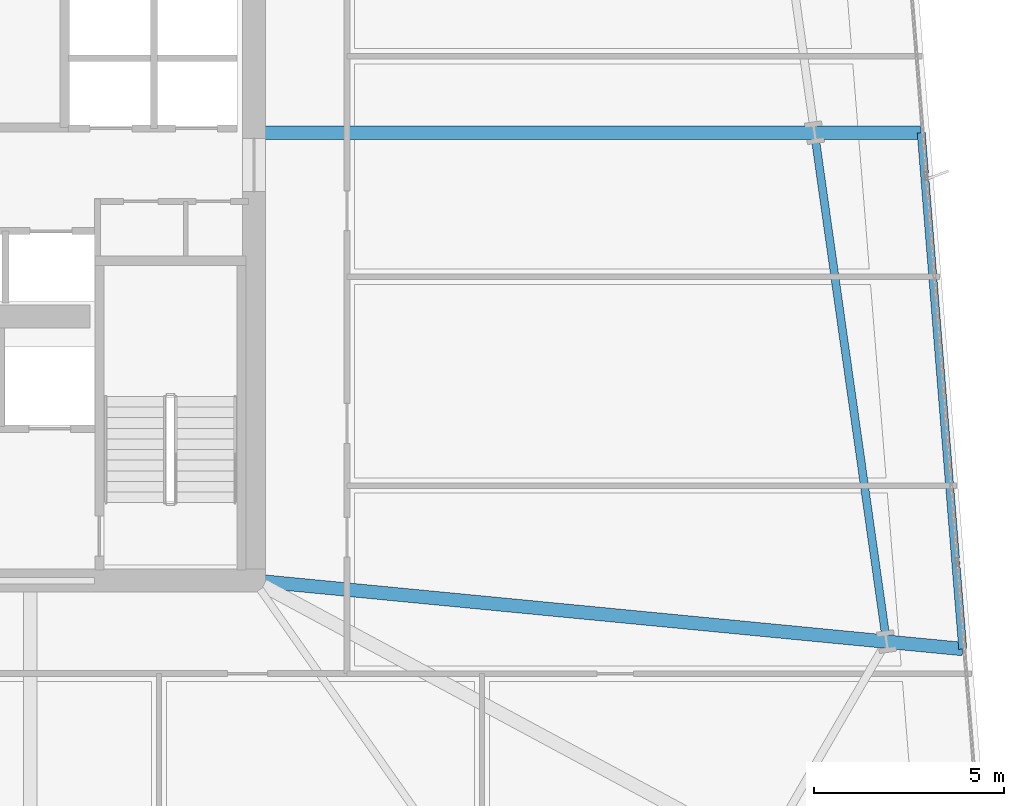
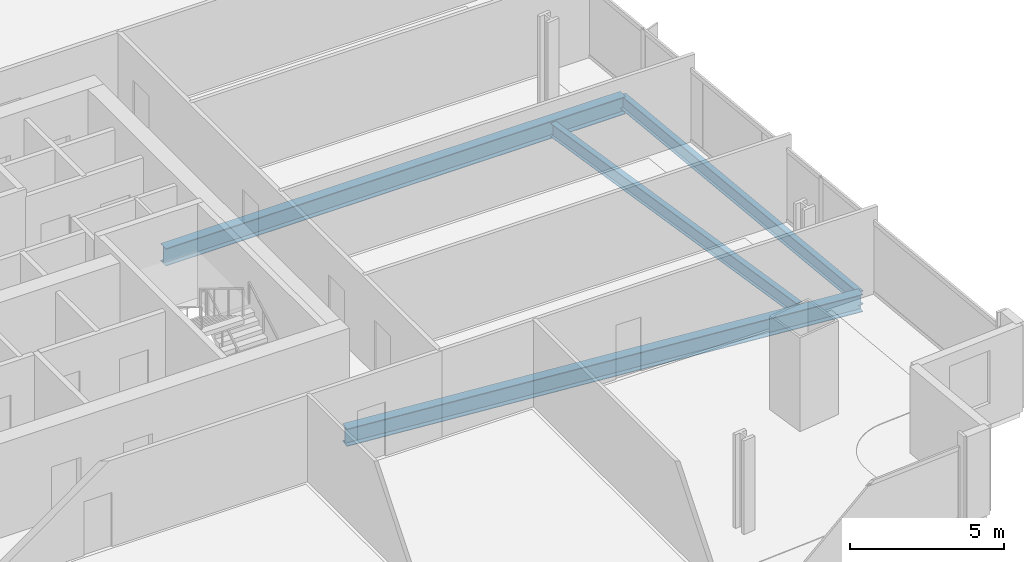
# One storey, part 12 of 33: 4 beams.
"""IFC4 building model written with IfcOpenShell, lengths in metres."""

from ifc_helpers import new_model, si_unit, direction, frame, origin, origin_2d, place, context, subcontext, project, spatial, i_section, extrude, material, material_profile, profile_set, type_object, element, save


model = new_model("IFC4")

# Units and contexts
model_context = context("Model", 3, precision=1e-05, world=origin(), true_north=direction((0.0, 1.0)))
body_context = subcontext(model_context, "Body", "Model", "MODEL_VIEW")
ifc_project = project(units=[si_unit("LENGTHUNIT", "METRE"), si_unit("AREAUNIT", "SQUARE_METRE"), si_unit("VOLUMEUNIT", "CUBIC_METRE"), si_unit("PLANEANGLEUNIT", "RADIAN"), si_unit("MASSUNIT", "GRAM", prefix="KILO")], contexts=[model_context])

# Site, building, storey
site_placement = place(None, origin())
site = spatial("IfcSite", under=ifc_project, at=site_placement, CompositionType="ELEMENT")
building_placement = place(site_placement, origin())
building = spatial("IfcBuilding", under=site, at=building_placement, Name="Haldenkirk Collegiate Tower", CompositionType="ELEMENT")
storey_placement = place(building_placement, frame((0.0, 0.0, 43.949951171875)))
storey = spatial("IfcBuildingStorey", under=building, at=storey_placement, Name="L09", CompositionType="ELEMENT", Elevation=43.949951171875)

# Beams
ifc_material = material(Name="Steel ASTM A992 Grade 50", Category="steel")
ifc_material_profile_1 = material_profile(ifc_material, i_section(OverallWidth=0.35498046875, OverallDepth=0.696044921875, WebThickness=0.015380859375, FlangeThickness=0.02490234375, at=origin_2d()), Name="W27X146")
ifc_profile_set_1 = profile_set([ifc_material_profile_1], Name="Steel ASTM A992 Grade 50")
beam_type_1 = type_object("IfcBeamType", Name="BM-GIRDER-W27X146", PredefinedType="BEAM", material=ifc_profile_set_1)
beam_1_placement = place(storey_placement, frame((63.655029296875, 16.19921875, -0.657958984375), z_axis=(-0.99537293, 0.09608709707, 0.0), x_axis=(-0.09608709707, -0.99537293, 0.0)))
element("IfcBeam", 1, at=beam_1_placement, inside=storey, type_object=beam_type_1, Name="L09 primary floor girder 08", PredefinedType="BEAM", context=body_context, shape_type="SweptSolid", body=[
    extrude(i_section(OverallWidth=0.35498046875, OverallDepth=0.696044921875, WebThickness=0.015380859375, FlangeThickness=0.02490234375, at=origin_2d()), origin(), (0.0, 0.0, 1.0), 18.461669921875),
])
beam_2_placement = place(storey_placement, frame((62.561767578125, 29.788818359375, -0.657958984375), z_axis=(-1.0, 0.0, 0.0), x_axis=(0.0, -1.0, 0.0)))
element("IfcBeam", 2, at=beam_2_placement, inside=storey, type_object=beam_type_1, Name="L09 primary floor girder 09", PredefinedType="BEAM", context=body_context, shape_type="SweptSolid", body=[
    extrude(i_section(OverallWidth=0.35498046875, OverallDepth=0.696044921875, WebThickness=0.015380859375, FlangeThickness=0.02490234375, at=origin_2d()), origin(), (0.0, 0.0, 1.0), 17.28173828125),
])
ifc_material_profile_2 = material_profile(ifc_material, i_section(OverallWidth=0.2119140625, OverallDepth=0.5439453125, WebThickness=0.01318359375, FlangeThickness=0.021240234375, at=origin_2d()), Name="W21X83")
ifc_profile_set_2 = profile_set([ifc_material_profile_2], Name="Steel ASTM A992 Grade 50")
beam_type_2 = type_object("IfcBeamType", Name="BM-SPANDREL-W21X83", PredefinedType="SPANDREL", material=ifc_profile_set_2)
beam_3_placement = place(storey_placement, frame((61.611083984375, 16.65478515625, -0.58203125), z_axis=(-0.140040904101, 0.990145719164, 0.0), x_axis=(-0.990145719164, -0.140040904101, 0.0)))
element("IfcBeam", 3, at=beam_3_placement, inside=storey, type_object=beam_type_2, Name="L09 perimeter spandrel beam 06", PredefinedType="SPANDREL", context=body_context, shape_type="SweptSolid", body=[
    extrude(i_section(OverallWidth=0.2119140625, OverallDepth=0.5439453125, WebThickness=0.01318359375, FlangeThickness=0.021240234375, at=origin_2d()), origin(), (0.0, 0.0, 1.0), 13.000244140625),
])
beam_4_placement = place(storey_placement, frame((63.655029296875, 16.19921875, -0.58203125), z_axis=(-0.080189340683, 0.996779649492, 0.0), x_axis=(-0.996779649492, -0.080189340683, 0.0)))
element("IfcBeam", 4, at=beam_4_placement, inside=storey, type_object=beam_type_2, Name="L09 outer facade edge beam 2", PredefinedType="SPANDREL", context=body_context, shape_type="SweptSolid", body=[
    extrude(i_section(OverallWidth=0.2119140625, OverallDepth=0.5439453125, WebThickness=0.01318359375, FlangeThickness=0.021240234375, at=origin_2d()), origin(), (0.0, 0.0, 1.0), 13.633544921875),
])

save(model, "model.ifc")
